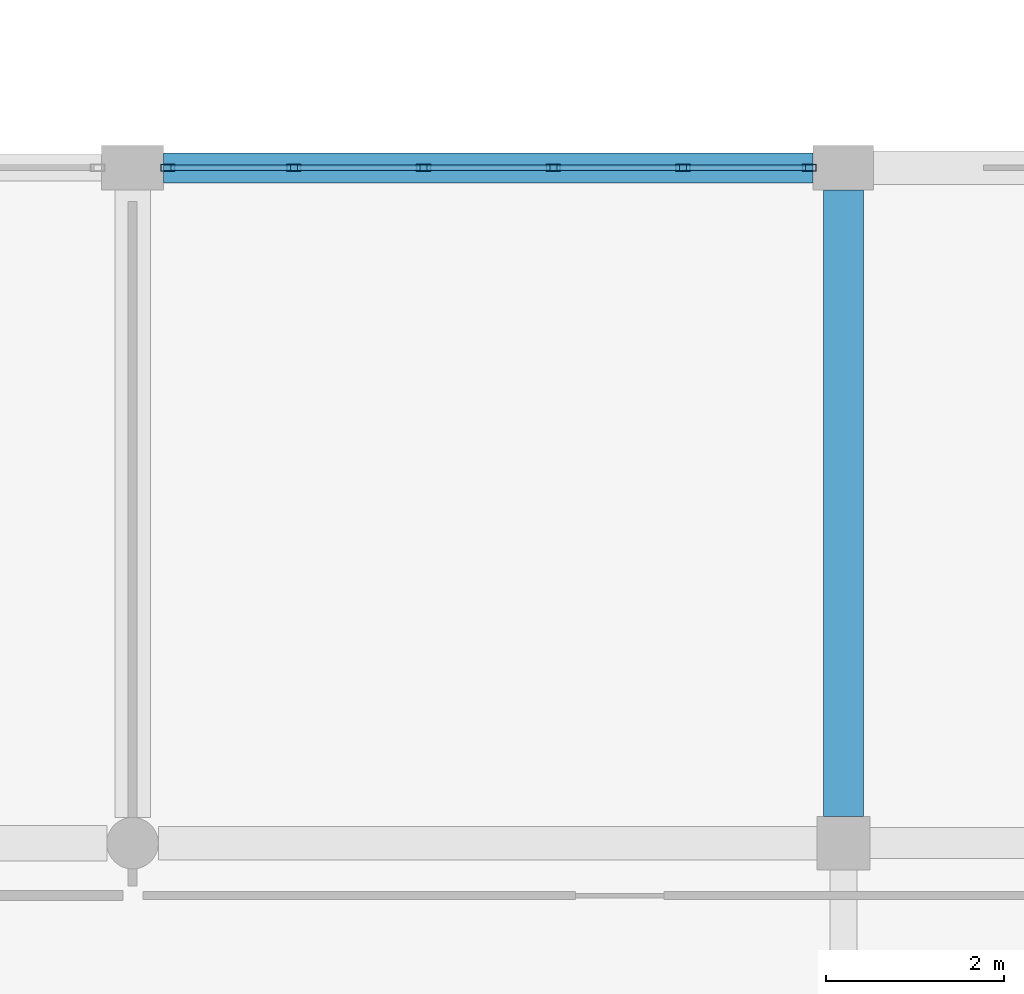
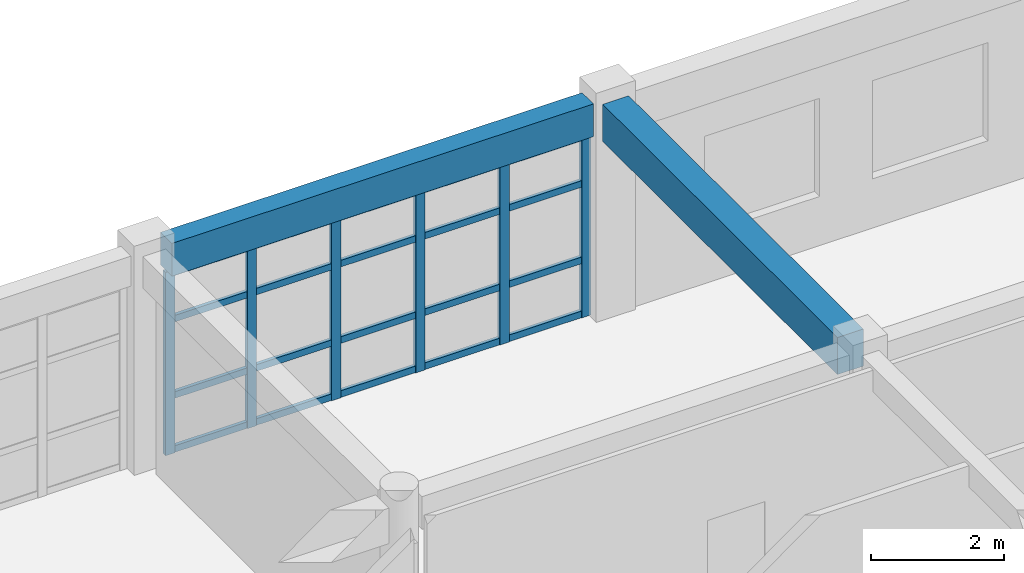
# One storey, part 43 of 121: 26 members, 2 beams, 1 element without a shape of its own.
"""IFC4 building model written with IfcOpenShell, lengths in metres."""

from ifc_helpers import new_model, si_unit, direction, frame, origin, origin_2d, place, context, subcontext, project, spatial, rectangle, hollow_rectangle, extrude, material, material_profile, profile_set, type_object, element, aggregate, save


model = new_model("IFC4")

# Units and contexts
model_context = context("Model", 3, precision=1e-05, world=origin(), true_north=direction((0.0, 1.0)))
body_context = subcontext(model_context, "Body", "Model", "MODEL_VIEW")
ifc_project = project(units=[si_unit("LENGTHUNIT", "METRE"), si_unit("AREAUNIT", "SQUARE_METRE"), si_unit("VOLUMEUNIT", "CUBIC_METRE"), si_unit("PLANEANGLEUNIT", "RADIAN"), si_unit("MASSUNIT", "GRAM", prefix="KILO")], contexts=[model_context])

# Site, building, storey
site_placement = place(None, origin())
site = spatial("IfcSite", under=ifc_project, at=site_placement, CompositionType="ELEMENT")
building_placement = place(site_placement, origin())
building = spatial("IfcBuilding", under=site, at=building_placement, Name="Kharva Crest Polytechnic", CompositionType="ELEMENT")
storey_placement = place(building_placement, frame((0.0, 0.0, 13.199951171875)))
storey = spatial("IfcBuildingStorey", under=building, at=storey_placement, Name="L03", CompositionType="ELEMENT", Elevation=13.199951171875)

# Beam
ifc_material_1 = material(Name="Concrete C35/45", Category="concrete")
ifc_material_profile_1 = material_profile(ifc_material_1, rectangle(XDim=0.449951171875, YDim=0.679931640625, at=origin_2d()), Name="RECT 450 X 680")
ifc_profile_set_1 = profile_set([ifc_material_profile_1], Name="Concrete C35/45")
beam_type_1 = type_object("IfcBeamType", Name="BM-RC-450X680", PredefinedType="BEAM", material=ifc_profile_set_1)
beam_1_placement = place(storey_placement, frame((104.0, 15.5, 3.6201171875), z_axis=(0.0, 1.0, 0.0), x_axis=(-1.0, 0.0, 0.0)))
element("IfcBeam", 1, at=beam_1_placement, inside=storey, type_object=beam_type_1, Name="L03 Girder 14/C-D", PredefinedType="BEAM", context=body_context, shape_type="SweptSolid", body=[
    extrude(rectangle(XDim=0.449951171875, YDim=0.679931640625, at=origin_2d()), origin(), (0.0, 0.0, 1.0), 7.050048828125),
])

# Curtain wall, members
ifc_material_2 = material(Name="Tempered insulated glass", Category="glass")
curtain_wall_type = type_object("IfcCurtainWallType", Name="CW-SYS-COURT", PredefinedType="USERDEFINED", material=ifc_material_2)
curtain_wall_placement = place(storey_placement, origin())
curtain_wall = element("IfcCurtainWall", 2, at=curtain_wall_placement, inside=storey, type_object=curtain_wall_type, Name="L03 Glazed Curtain Wall CW-136", ObjectType="CURTAIN WALL", PredefinedType="USERDEFINED")
ifc_material_3 = material(Name="Steel S355", Category="steel")
ifc_material_profile_2 = material_profile(ifc_material_3, hollow_rectangle(XDim=0.080078125, YDim=0.159912109375, WallThickness=0.0048828125, at=origin_2d()), Name="RHS 160X80X5.0")
ifc_profile_set_2 = profile_set([ifc_material_profile_2], Name="Steel S355")
member_type_1 = type_object("IfcMemberType", Name="CWM-RHS160X80", PredefinedType="MULLION", material=ifc_profile_set_2)
member_1_placement = place(storey_placement, frame((103.614990234375, 22.800048828125, 0.0), z_axis=(0.0, 0.0, 1.0), x_axis=(0.0, -1.0, 0.0)))
member_1 = element("IfcMember", 3, at=member_1_placement, type_object=member_type_1, Name="CW-136 mullion 1", PredefinedType="MULLION", context=body_context, shape_type="SweptSolid", body=[
    extrude(hollow_rectangle(XDim=0.080078125, YDim=0.159912109375, WallThickness=0.0048828125, at=origin_2d()), origin(), (0.0, 0.0, 1.0), 3.360107421875),
])
member_2_placement = place(storey_placement, frame((102.195068359375, 22.800048828125, 0.0), z_axis=(0.0, 0.0, 1.0), x_axis=(0.0, -1.0, 0.0)))
member_2 = element("IfcMember", 4, at=member_2_placement, type_object=member_type_1, Name="CW-136 mullion 2", PredefinedType="MULLION", context=body_context, shape_type="SweptSolid", body=[
    extrude(hollow_rectangle(XDim=0.080078125, YDim=0.159912109375, WallThickness=0.0048828125, at=origin_2d()), origin(), (0.0, 0.0, 1.0), 3.360107421875),
])
member_3_placement = place(storey_placement, frame((100.735107421875, 22.800048828125, 0.0), z_axis=(0.0, 0.0, 1.0), x_axis=(0.0, -1.0, 0.0)))
member_3 = element("IfcMember", 5, at=member_3_placement, type_object=member_type_1, Name="CW-136 mullion 3", PredefinedType="MULLION", context=body_context, shape_type="SweptSolid", body=[
    extrude(hollow_rectangle(XDim=0.080078125, YDim=0.159912109375, WallThickness=0.0048828125, at=origin_2d()), origin(), (0.0, 0.0, 1.0), 3.360107421875),
])
member_4_placement = place(storey_placement, frame((99.27490234375, 22.800048828125, 0.0), z_axis=(0.0, 0.0, 1.0), x_axis=(0.0, -1.0, 0.0)))
member_4 = element("IfcMember", 6, at=member_4_placement, type_object=member_type_1, Name="CW-136 mullion 4", PredefinedType="MULLION", context=body_context, shape_type="SweptSolid", body=[
    extrude(hollow_rectangle(XDim=0.080078125, YDim=0.159912109375, WallThickness=0.0048828125, at=origin_2d()), origin(), (0.0, 0.0, 1.0), 3.360107421875),
])
member_5_placement = place(storey_placement, frame((97.81494140625, 22.800048828125, 0.0), z_axis=(0.0, 0.0, 1.0), x_axis=(0.0, -1.0, 0.0)))
member_5 = element("IfcMember", 7, at=member_5_placement, type_object=member_type_1, Name="CW-136 mullion 5", PredefinedType="MULLION", context=body_context, shape_type="SweptSolid", body=[
    extrude(hollow_rectangle(XDim=0.080078125, YDim=0.159912109375, WallThickness=0.0048828125, at=origin_2d()), origin(), (0.0, 0.0, 1.0), 3.360107421875),
])
member_6_placement = place(storey_placement, frame((96.39501953125, 22.800048828125, 0.0), z_axis=(0.0, 0.0, 1.0), x_axis=(0.0, -1.0, 0.0)))
member_6 = element("IfcMember", 8, at=member_6_placement, type_object=member_type_1, Name="CW-136 mullion 6", PredefinedType="MULLION", context=body_context, shape_type="SweptSolid", body=[
    extrude(hollow_rectangle(XDim=0.080078125, YDim=0.159912109375, WallThickness=0.0048828125, at=origin_2d()), origin(), (0.0, 0.0, 1.0), 3.360107421875),
])
ifc_material_profile_3 = material_profile(ifc_material_3, hollow_rectangle(XDim=0.06005859375, YDim=0.1201171875, WallThickness=0.00390625, at=origin_2d()), Name="RHS 120X60X4.0")
ifc_profile_set_3 = profile_set([ifc_material_profile_3], Name="Steel S355")
member_type_2 = type_object("IfcMemberType", Name="CWT-RHS120X60", PredefinedType="USERDEFINED", material=ifc_profile_set_3)
member_7_placement = place(storey_placement, frame((103.574951171875, 22.800048828125, 0.06005859375), z_axis=(-1.0, 0.0, 0.0), x_axis=(0.0, -1.0, 0.0)))
member_7 = element("IfcMember", 9, at=member_7_placement, type_object=member_type_2, Name="CW-136 transom 1.1", ObjectType="TRANSOM", PredefinedType="USERDEFINED", context=body_context, shape_type="SweptSolid", body=[
    extrude(hollow_rectangle(XDim=0.06005859375, YDim=0.1201171875, WallThickness=0.00390625, at=origin_2d()), origin(), (0.0, 0.0, 1.0), 1.33984375),
])
member_8_placement = place(storey_placement, frame((103.574951171875, 22.800048828125, 1.050048828125), z_axis=(-1.0, 0.0, 0.0), x_axis=(0.0, -1.0, 0.0)))
member_8 = element("IfcMember", 10, at=member_8_placement, type_object=member_type_2, Name="CW-136 transom 1.2", ObjectType="TRANSOM", PredefinedType="USERDEFINED", context=body_context, shape_type="SweptSolid", body=[
    extrude(hollow_rectangle(XDim=0.06005859375, YDim=0.1201171875, WallThickness=0.00390625, at=origin_2d()), origin(), (0.0, 0.0, 1.0), 1.33984375),
])
member_9_placement = place(storey_placement, frame((103.574951171875, 22.800048828125, 2.449951171875), z_axis=(-1.0, 0.0, 0.0), x_axis=(0.0, -1.0, 0.0)))
member_9 = element("IfcMember", 11, at=member_9_placement, type_object=member_type_2, Name="CW-136 transom 1.3", ObjectType="TRANSOM", PredefinedType="USERDEFINED", context=body_context, shape_type="SweptSolid", body=[
    extrude(hollow_rectangle(XDim=0.06005859375, YDim=0.1201171875, WallThickness=0.00390625, at=origin_2d()), origin(), (0.0, 0.0, 1.0), 1.33984375),
])
member_10_placement = place(storey_placement, frame((103.574951171875, 22.800048828125, 3.300048828125), z_axis=(-1.0, 0.0, 0.0), x_axis=(0.0, -1.0, 0.0)))
member_10 = element("IfcMember", 12, at=member_10_placement, type_object=member_type_2, Name="CW-136 transom 1.4", ObjectType="TRANSOM", PredefinedType="USERDEFINED", context=body_context, shape_type="SweptSolid", body=[
    extrude(hollow_rectangle(XDim=0.06005859375, YDim=0.1201171875, WallThickness=0.00390625, at=origin_2d()), origin(), (0.0, 0.0, 1.0), 1.33984375),
])
member_11_placement = place(storey_placement, frame((102.155029296875, 22.800048828125, 0.06005859375), z_axis=(-1.0, 0.0, 0.0), x_axis=(0.0, -1.0, 0.0)))
member_11 = element("IfcMember", 13, at=member_11_placement, type_object=member_type_2, Name="CW-136 transom 2.1", ObjectType="TRANSOM", PredefinedType="USERDEFINED", context=body_context, shape_type="SweptSolid", body=[
    extrude(hollow_rectangle(XDim=0.06005859375, YDim=0.1201171875, WallThickness=0.00390625, at=origin_2d()), origin(), (0.0, 0.0, 1.0), 1.380126953125),
])
member_12_placement = place(storey_placement, frame((102.155029296875, 22.800048828125, 1.050048828125), z_axis=(-1.0, 0.0, 0.0), x_axis=(0.0, -1.0, 0.0)))
member_12 = element("IfcMember", 14, at=member_12_placement, type_object=member_type_2, Name="CW-136 transom 2.2", ObjectType="TRANSOM", PredefinedType="USERDEFINED", context=body_context, shape_type="SweptSolid", body=[
    extrude(hollow_rectangle(XDim=0.06005859375, YDim=0.1201171875, WallThickness=0.00390625, at=origin_2d()), origin(), (0.0, 0.0, 1.0), 1.380126953125),
])
member_13_placement = place(storey_placement, frame((102.155029296875, 22.800048828125, 2.449951171875), z_axis=(-1.0, 0.0, 0.0), x_axis=(0.0, -1.0, 0.0)))
member_13 = element("IfcMember", 15, at=member_13_placement, type_object=member_type_2, Name="CW-136 transom 2.3", ObjectType="TRANSOM", PredefinedType="USERDEFINED", context=body_context, shape_type="SweptSolid", body=[
    extrude(hollow_rectangle(XDim=0.06005859375, YDim=0.1201171875, WallThickness=0.00390625, at=origin_2d()), origin(), (0.0, 0.0, 1.0), 1.380126953125),
])
member_14_placement = place(storey_placement, frame((102.155029296875, 22.800048828125, 3.300048828125), z_axis=(-1.0, 0.0, 0.0), x_axis=(0.0, -1.0, 0.0)))
member_14 = element("IfcMember", 16, at=member_14_placement, type_object=member_type_2, Name="CW-136 transom 2.4", ObjectType="TRANSOM", PredefinedType="USERDEFINED", context=body_context, shape_type="SweptSolid", body=[
    extrude(hollow_rectangle(XDim=0.06005859375, YDim=0.1201171875, WallThickness=0.00390625, at=origin_2d()), origin(), (0.0, 0.0, 1.0), 1.380126953125),
])
member_15_placement = place(storey_placement, frame((100.695068359375, 22.800048828125, 0.06005859375), z_axis=(-1.0, 0.0, 0.0), x_axis=(0.0, -1.0, 0.0)))
member_15 = element("IfcMember", 17, at=member_15_placement, type_object=member_type_2, Name="CW-136 transom 3.1", ObjectType="TRANSOM", PredefinedType="USERDEFINED", context=body_context, shape_type="SweptSolid", body=[
    extrude(hollow_rectangle(XDim=0.06005859375, YDim=0.1201171875, WallThickness=0.00390625, at=origin_2d()), origin(), (0.0, 0.0, 1.0), 1.380126953125),
])
member_16_placement = place(storey_placement, frame((100.695068359375, 22.800048828125, 1.050048828125), z_axis=(-1.0, 0.0, 0.0), x_axis=(0.0, -1.0, 0.0)))
member_16 = element("IfcMember", 18, at=member_16_placement, type_object=member_type_2, Name="CW-136 transom 3.2", ObjectType="TRANSOM", PredefinedType="USERDEFINED", context=body_context, shape_type="SweptSolid", body=[
    extrude(hollow_rectangle(XDim=0.06005859375, YDim=0.1201171875, WallThickness=0.00390625, at=origin_2d()), origin(), (0.0, 0.0, 1.0), 1.380126953125),
])
member_17_placement = place(storey_placement, frame((100.695068359375, 22.800048828125, 2.449951171875), z_axis=(-1.0, 0.0, 0.0), x_axis=(0.0, -1.0, 0.0)))
member_17 = element("IfcMember", 19, at=member_17_placement, type_object=member_type_2, Name="CW-136 transom 3.3", ObjectType="TRANSOM", PredefinedType="USERDEFINED", context=body_context, shape_type="SweptSolid", body=[
    extrude(hollow_rectangle(XDim=0.06005859375, YDim=0.1201171875, WallThickness=0.00390625, at=origin_2d()), origin(), (0.0, 0.0, 1.0), 1.380126953125),
])
member_18_placement = place(storey_placement, frame((100.695068359375, 22.800048828125, 3.300048828125), z_axis=(-1.0, 0.0, 0.0), x_axis=(0.0, -1.0, 0.0)))
member_18 = element("IfcMember", 20, at=member_18_placement, type_object=member_type_2, Name="CW-136 transom 3.4", ObjectType="TRANSOM", PredefinedType="USERDEFINED", context=body_context, shape_type="SweptSolid", body=[
    extrude(hollow_rectangle(XDim=0.06005859375, YDim=0.1201171875, WallThickness=0.00390625, at=origin_2d()), origin(), (0.0, 0.0, 1.0), 1.380126953125),
])
member_19_placement = place(storey_placement, frame((99.235107421875, 22.800048828125, 0.06005859375), z_axis=(-1.0, 0.0, 0.0), x_axis=(0.0, -1.0, 0.0)))
member_19 = element("IfcMember", 21, at=member_19_placement, type_object=member_type_2, Name="CW-136 transom 4.1", ObjectType="TRANSOM", PredefinedType="USERDEFINED", context=body_context, shape_type="SweptSolid", body=[
    extrude(hollow_rectangle(XDim=0.06005859375, YDim=0.1201171875, WallThickness=0.00390625, at=origin_2d()), origin(), (0.0, 0.0, 1.0), 1.380126953125),
])
member_20_placement = place(storey_placement, frame((99.235107421875, 22.800048828125, 1.050048828125), z_axis=(-1.0, 0.0, 0.0), x_axis=(0.0, -1.0, 0.0)))
member_20 = element("IfcMember", 22, at=member_20_placement, type_object=member_type_2, Name="CW-136 transom 4.2", ObjectType="TRANSOM", PredefinedType="USERDEFINED", context=body_context, shape_type="SweptSolid", body=[
    extrude(hollow_rectangle(XDim=0.06005859375, YDim=0.1201171875, WallThickness=0.00390625, at=origin_2d()), origin(), (0.0, 0.0, 1.0), 1.380126953125),
])
member_21_placement = place(storey_placement, frame((99.235107421875, 22.800048828125, 2.449951171875), z_axis=(-1.0, 0.0, 0.0), x_axis=(0.0, -1.0, 0.0)))
member_21 = element("IfcMember", 23, at=member_21_placement, type_object=member_type_2, Name="CW-136 transom 4.3", ObjectType="TRANSOM", PredefinedType="USERDEFINED", context=body_context, shape_type="SweptSolid", body=[
    extrude(hollow_rectangle(XDim=0.06005859375, YDim=0.1201171875, WallThickness=0.00390625, at=origin_2d()), origin(), (0.0, 0.0, 1.0), 1.380126953125),
])
member_22_placement = place(storey_placement, frame((99.235107421875, 22.800048828125, 3.300048828125), z_axis=(-1.0, 0.0, 0.0), x_axis=(0.0, -1.0, 0.0)))
member_22 = element("IfcMember", 24, at=member_22_placement, type_object=member_type_2, Name="CW-136 transom 4.4", ObjectType="TRANSOM", PredefinedType="USERDEFINED", context=body_context, shape_type="SweptSolid", body=[
    extrude(hollow_rectangle(XDim=0.06005859375, YDim=0.1201171875, WallThickness=0.00390625, at=origin_2d()), origin(), (0.0, 0.0, 1.0), 1.380126953125),
])
member_23_placement = place(storey_placement, frame((97.77490234375, 22.800048828125, 0.06005859375), z_axis=(-1.0, 0.0, 0.0), x_axis=(0.0, -1.0, 0.0)))
member_23 = element("IfcMember", 25, at=member_23_placement, type_object=member_type_2, Name="CW-136 transom 5.1", ObjectType="TRANSOM", PredefinedType="USERDEFINED", context=body_context, shape_type="SweptSolid", body=[
    extrude(hollow_rectangle(XDim=0.06005859375, YDim=0.1201171875, WallThickness=0.00390625, at=origin_2d()), origin(), (0.0, 0.0, 1.0), 1.33984375),
])
member_24_placement = place(storey_placement, frame((97.77490234375, 22.800048828125, 1.050048828125), z_axis=(-1.0, 0.0, 0.0), x_axis=(0.0, -1.0, 0.0)))
member_24 = element("IfcMember", 26, at=member_24_placement, type_object=member_type_2, Name="CW-136 transom 5.2", ObjectType="TRANSOM", PredefinedType="USERDEFINED", context=body_context, shape_type="SweptSolid", body=[
    extrude(hollow_rectangle(XDim=0.06005859375, YDim=0.1201171875, WallThickness=0.00390625, at=origin_2d()), origin(), (0.0, 0.0, 1.0), 1.33984375),
])
member_25_placement = place(storey_placement, frame((97.77490234375, 22.800048828125, 2.449951171875), z_axis=(-1.0, 0.0, 0.0), x_axis=(0.0, -1.0, 0.0)))
member_25 = element("IfcMember", 27, at=member_25_placement, type_object=member_type_2, Name="CW-136 transom 5.3", ObjectType="TRANSOM", PredefinedType="USERDEFINED", context=body_context, shape_type="SweptSolid", body=[
    extrude(hollow_rectangle(XDim=0.06005859375, YDim=0.1201171875, WallThickness=0.00390625, at=origin_2d()), origin(), (0.0, 0.0, 1.0), 1.33984375),
])
member_26_placement = place(storey_placement, frame((97.77490234375, 22.800048828125, 3.300048828125), z_axis=(-1.0, 0.0, 0.0), x_axis=(0.0, -1.0, 0.0)))
member_26 = element("IfcMember", 28, at=member_26_placement, type_object=member_type_2, Name="CW-136 transom 5.4", ObjectType="TRANSOM", PredefinedType="USERDEFINED", context=body_context, shape_type="SweptSolid", body=[
    extrude(hollow_rectangle(XDim=0.06005859375, YDim=0.1201171875, WallThickness=0.00390625, at=origin_2d()), origin(), (0.0, 0.0, 1.0), 1.33984375),
])
aggregate(curtain_wall, [member_1, member_2, member_3, member_4, member_5, member_6, member_7, member_8, member_9, member_10, member_11, member_12, member_13, member_14, member_15, member_16, member_17, member_18, member_19, member_20, member_21, member_22, member_23, member_24, member_25, member_26])

# Beam
ifc_material_profile_4 = material_profile(ifc_material_1, rectangle(XDim=0.340087890625, YDim=0.60009765625, at=origin_2d()), Name="RECT 340 X 600")
ifc_profile_set_4 = profile_set([ifc_material_profile_4], Name="Concrete C35/45")
beam_type_2 = type_object("IfcBeamType", Name="SP-RC-340X600", PredefinedType="SPANDREL", material=ifc_profile_set_4)
beam_2_placement = place(storey_placement, frame((96.35009765625, 22.800048828125, 3.66015625), z_axis=(1.0, 0.0, 0.0), x_axis=(0.0, 1.0, 0.0)))
element("IfcBeam", 29, at=beam_2_placement, inside=storey, type_object=beam_type_2, Name="L03 Beam D/13-14", PredefinedType="SPANDREL", context=body_context, shape_type="SweptSolid", body=[
    extrude(rectangle(XDim=0.340087890625, YDim=0.60009765625, at=origin_2d()), origin(), (0.0, 0.0, 1.0), 7.309814453125),
])

save(model, "model.ifc")
